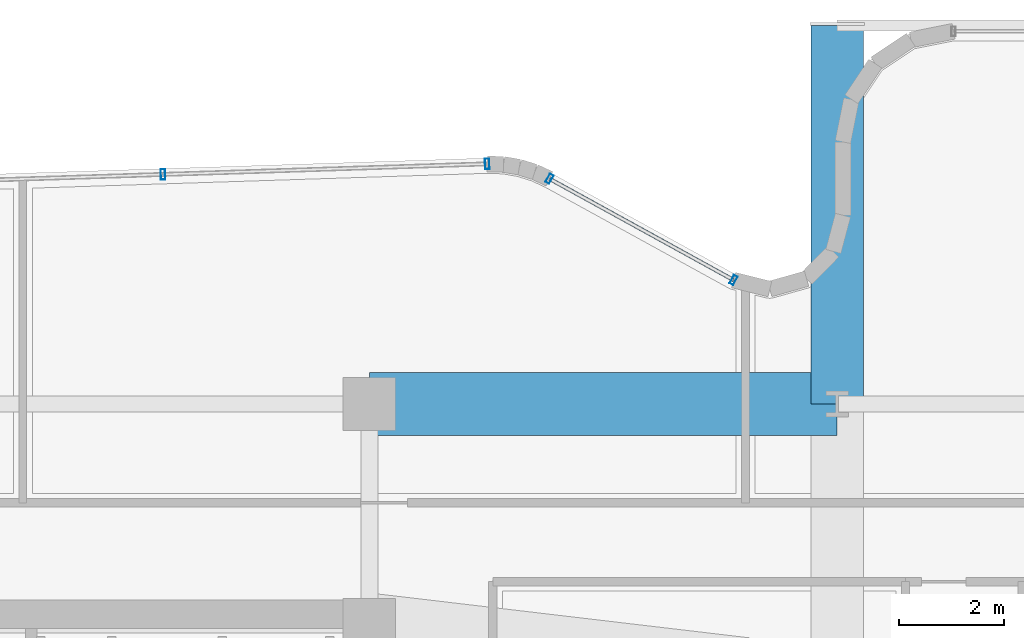
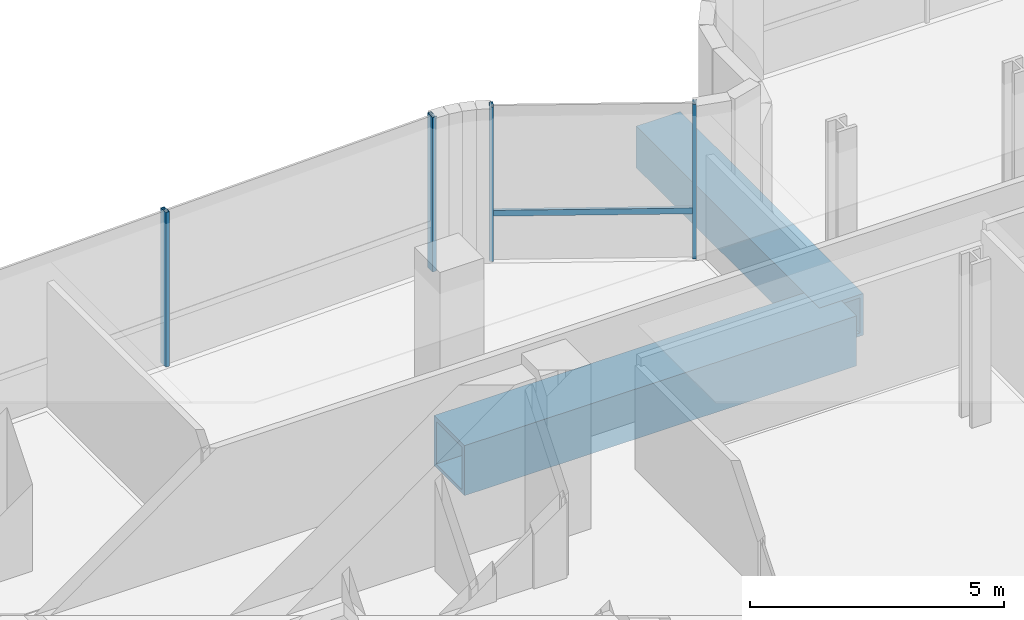
# One storey, part 21 of 35: 5 members, 2 beams, 2 elements without a shape of their own.
"""IFC4 building model written with IfcOpenShell, lengths in metres."""

from ifc_helpers import new_model, si_unit, direction, frame, origin, origin_2d, place, context, subcontext, project, spatial, hollow_rectangle, extrude, source, transform, mapped, material, material_profile, profile_set, type_object, element, aggregate, save


model = new_model("IFC4")

# Units and contexts
model_context = context("Model", 3, precision=1e-05, world=origin(), true_north=direction((0.0, 1.0)))
body_context = subcontext(model_context, "Body", "Model", "MODEL_VIEW")
ifc_project = project(units=[si_unit("LENGTHUNIT", "METRE"), si_unit("AREAUNIT", "SQUARE_METRE"), si_unit("VOLUMEUNIT", "CUBIC_METRE"), si_unit("PLANEANGLEUNIT", "RADIAN"), si_unit("MASSUNIT", "GRAM", prefix="KILO")], contexts=[model_context])

# Site, building, storey
site_placement = place(None, origin())
site = spatial("IfcSite", under=ifc_project, at=site_placement, CompositionType="ELEMENT")
building_placement = place(site_placement, origin())
building = spatial("IfcBuilding", under=site, at=building_placement, Name="Valdorenza Pilgrim Sanctuary Tower", CompositionType="ELEMENT")
storey_placement = place(building_placement, frame((0.0, 0.0, 192.35009765625)))
storey = spatial("IfcBuildingStorey", under=building, at=storey_placement, Name="L49", CompositionType="ELEMENT", Elevation=192.35009765625)

# Beams
ifc_material_1 = material(Name="Steel ASTM A572 Grade 42", Category="steel")
ifc_material_profile_1 = material_profile(ifc_material_1, hollow_rectangle(XDim=1.199951171875, YDim=1.199951171875, WallThickness=0.090087890625, at=origin_2d()), Name="BOX 1200x1200x90")
ifc_profile_set_1 = profile_set([ifc_material_profile_1], Name="Steel ASTM A572 Grade 42")
beam_type_1 = type_object("IfcBeamType", Name="STR-BM-TRF-1200", PredefinedType="BEAM", material=ifc_profile_set_1)
shared_shape_1 = source(origin(), body_context, "Body", "SweptSolid", [
    extrude(hollow_rectangle(XDim=1.199951171875, YDim=1.199951171875, WallThickness=0.090087890625, at=origin_2d()), origin(), (0.0, 0.0, 1.0), 8.89990234375),
])
beam_1_placement = place(storey_placement, frame((-12.39990234375, 14.800048828125, -0.920166015625), z_axis=(1.0, 0.0, 0.0), x_axis=(0.0, 1.0, 0.0)))
element("IfcBeam", 1, at=beam_1_placement, inside=storey, type_object=beam_type_1, Name="L49 Portal Bridge Transfer Girder PRY-G1-P14", PredefinedType="BEAM", context=body_context, shape_type="MappedRepresentation", body=[
    mapped(shared_shape_1, transform((0.0, 0.0, 0.0), x_axis=(1.0, 0.0, 0.0), y_axis=(0.0, 1.0, 0.0), z_axis=(0.0, 0.0, 1.0), scale=1.0)),
])
ifc_material_profile_2 = material_profile(ifc_material_1, hollow_rectangle(XDim=1.0, YDim=1.0, WallThickness=0.080078125, at=origin_2d()), Name="BOX 1000x1000x80")
ifc_profile_set_2 = profile_set([ifc_material_profile_2], Name="Steel ASTM A572 Grade 42")
beam_type_2 = type_object("IfcBeamType", Name="STR-BM-PROW-CANT", PredefinedType="BEAM", material=ifc_profile_set_2)
shared_shape_2 = source(origin(), body_context, "Body", "SweptSolid", [
    extrude(hollow_rectangle(XDim=1.0, YDim=1.0, WallThickness=0.080078125, at=origin_2d()), origin(), (0.0, 0.0, 1.0), 7.199951171875),
])
beam_2_placement = place(storey_placement, frame((-3.5, 14.800048828125, -0.820068359375), z_axis=(0.0, 1.0, 0.0), x_axis=(-1.0, 0.0, 0.0)))
element("IfcBeam", 2, at=beam_2_placement, inside=storey, type_object=beam_type_2, Name="L49 North Sanctuary Prow Cantilever PROW-CANT-N-W", PredefinedType="BEAM", context=body_context, shape_type="MappedRepresentation", body=[
    mapped(shared_shape_2, transform((0.0, 0.0, 0.0), x_axis=(1.0, 0.0, 0.0), y_axis=(0.0, 1.0, 0.0), z_axis=(0.0, 0.0, 1.0), scale=1.0)),
])

# Curtain wall, member
ifc_material_2 = material(Name="Curtain-wall IGU glazing", Category="glass")
curtain_wall_type_1 = type_object("IfcCurtainWallType", Name="CW-SYS-05", PredefinedType="NOTDEFINED", material=ifc_material_2)
curtain_wall_1_placement = place(storey_placement, origin())
curtain_wall_1 = element("IfcCurtainWall", 3, at=curtain_wall_1_placement, inside=storey, type_object=curtain_wall_type_1, Name="L49 Curtain Wall CW-L49-1-11", PredefinedType="NOTDEFINED")
ifc_material_3 = material(Name="Anodised aluminium AW-6060", Category="aluminium")
ifc_material_profile_3 = material_profile(ifc_material_3, hollow_rectangle(XDim=0.070068359375, YDim=0.139892578125, WallThickness=0.00341796875, at=origin_2d()), Name="ALU-T 140x70x3.5")
ifc_profile_set_3 = profile_set([ifc_material_profile_3], Name="Anodised aluminium AW-6060")
member_type_1 = type_object("IfcMemberType", Name="CW-TRN-05", PredefinedType="USERDEFINED", material=ifc_profile_set_3)
shared_shape_3 = source(origin(), body_context, "Body", "SweptSolid", [
    extrude(hollow_rectangle(XDim=0.070068359375, YDim=0.139892578125, WallThickness=0.00341796875, at=origin_2d()), origin(), (0.0, 0.0, 1.0), 3.99609375),
])
member_1_placement = place(storey_placement, frame((-8.972900390625, 19.084716796875, 1.119873046875), z_axis=(0.876178497897, -0.48198676312, 0.0), x_axis=(0.48198676312, 0.876178497897, 0.0)))
member_1 = element("IfcMember", 4, at=member_1_placement, type_object=member_type_1, Name="CW-L49-1-11 Transom 1", ObjectType="TRANSOM", PredefinedType="USERDEFINED", context=body_context, shape_type="MappedRepresentation", body=[
    mapped(shared_shape_3, transform((0.0, 0.0, 0.0), x_axis=(1.0, 0.0, 0.0), y_axis=(0.0, 1.0, 0.0), z_axis=(0.0, 0.0, 1.0), scale=1.0)),
])

# Curtain wall, members
curtain_wall_type_2 = type_object("IfcCurtainWallType", Name="CW-SYS-02", PredefinedType="NOTDEFINED", material=ifc_material_2)
curtain_wall_2_placement = place(storey_placement, origin())
curtain_wall_2 = element("IfcCurtainWall", 5, at=curtain_wall_2_placement, inside=storey, type_object=curtain_wall_type_2, Name="L49 Curtain Wall CW-L49-1-6", PredefinedType="NOTDEFINED")
ifc_material_profile_4 = material_profile(ifc_material_3, hollow_rectangle(XDim=0.0849609375, YDim=0.199951171875, WallThickness=0.0048828125, at=origin_2d()), Name="ALU-M 200x85x5")
ifc_profile_set_4 = profile_set([ifc_material_profile_4], Name="Anodised aluminium AW-6060")
member_type_2 = type_object("IfcMemberType", Name="CW-MUL-02", PredefinedType="MULLION", material=ifc_profile_set_4)
shared_shape_4 = source(origin(), body_context, "Body", "SweptSolid", [
    extrude(hollow_rectangle(XDim=0.0849609375, YDim=0.199951171875, WallThickness=0.0048828125, at=origin_2d()), origin(), (0.0, 0.0, 1.0), 3.7099609375),
])
member_2_placement = place(storey_placement, frame((-16.32666015625, 19.167724609375, 0.0), z_axis=(0.0, 0.0, 1.0), x_axis=(0.999470282811, 0.032544642846, 0.0)))
member_2 = element("IfcMember", 6, at=member_2_placement, type_object=member_type_2, Name="CW-L49-1-6 Mullion 3", PredefinedType="MULLION", context=body_context, shape_type="MappedRepresentation", body=[
    mapped(shared_shape_4, transform((0.0, 0.0, 0.0), x_axis=(1.0, 0.0, 0.0), y_axis=(0.0, 1.0, 0.0), z_axis=(0.0, 0.0, 1.0), scale=1.0)),
])
member_3_placement = place(storey_placement, frame((-10.157958984375, 19.368408203125, 0.0), z_axis=(0.0, 0.0, 1.0), x_axis=(0.999470282811, 0.032544642846, 0.0)))
member_3 = element("IfcMember", 7, at=member_3_placement, type_object=member_type_2, Name="CW-L49-1-6 Mullion 4", PredefinedType="MULLION", context=body_context, shape_type="MappedRepresentation", body=[
    mapped(shared_shape_4, transform((0.0, 0.0, 0.0), x_axis=(1.0, 0.0, 0.0), y_axis=(0.0, 1.0, 0.0), z_axis=(0.0, 0.0, 1.0), scale=1.0)),
])
aggregate(curtain_wall_2, [member_2, member_3])

# Member
ifc_material_profile_5 = material_profile(ifc_material_3, hollow_rectangle(XDim=0.080078125, YDim=0.179931640625, WallThickness=0.00439453125, at=origin_2d()), Name="ALU-M 180x80x4.5")
ifc_profile_set_5 = profile_set([ifc_material_profile_5], Name="Anodised aluminium AW-6060")
member_type_3 = type_object("IfcMemberType", Name="CW-MUL-05", PredefinedType="MULLION", material=ifc_profile_set_5)
shared_shape_5 = source(origin(), body_context, "Body", "SweptSolid", [
    extrude(hollow_rectangle(XDim=0.080078125, YDim=0.179931640625, WallThickness=0.00439453125, at=origin_2d()), origin(), (0.0, 0.0, 1.0), 3.7099609375),
])
member_4_placement = place(storey_placement, frame((-8.972900390625, 19.084716796875, 0.0), z_axis=(0.0, 0.0, 1.0), x_axis=(0.876214173829, -0.481921904027, 0.0)))
member_4 = element("IfcMember", 8, at=member_4_placement, type_object=member_type_3, Name="CW-L49-1-11 Mullion 1", PredefinedType="MULLION", context=body_context, shape_type="MappedRepresentation", body=[
    mapped(shared_shape_5, transform((0.0, 0.0, 0.0), x_axis=(1.0, 0.0, 0.0), y_axis=(0.0, 1.0, 0.0), z_axis=(0.0, 0.0, 1.0), scale=1.0)),
])

member_5_placement = place(storey_placement, frame((-5.4716796875, 17.15869140625, 0.0), z_axis=(0.0, 0.0, 1.0), x_axis=(0.876214173829, -0.481921904027, 0.0)))
member_5 = element("IfcMember", 9, at=member_5_placement, type_object=member_type_3, Name="CW-L49-1-11 Mullion 2", PredefinedType="MULLION", context=body_context, shape_type="MappedRepresentation", body=[
    mapped(shared_shape_5, transform((0.0, 0.0, 0.0), x_axis=(1.0, 0.0, 0.0), y_axis=(0.0, 1.0, 0.0), z_axis=(0.0, 0.0, 1.0), scale=1.0)),
])

aggregate(curtain_wall_1, [member_4, member_5, member_1])

save(model, "model.ifc")
